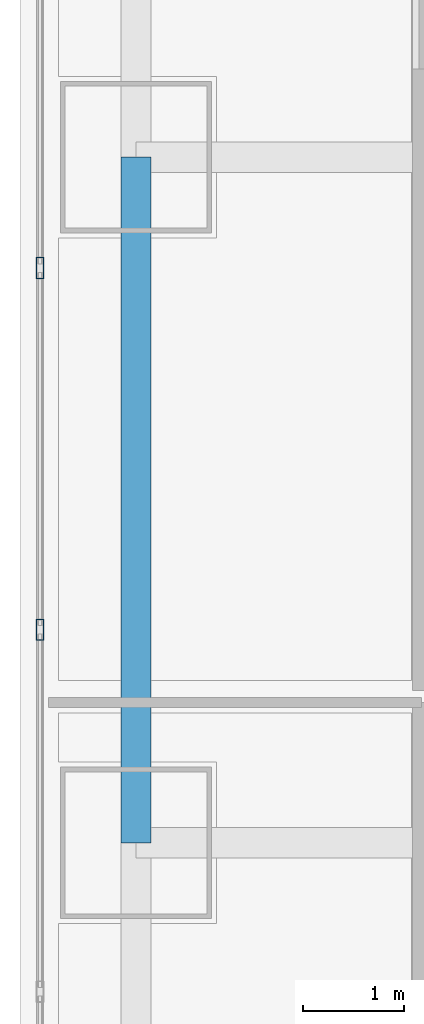
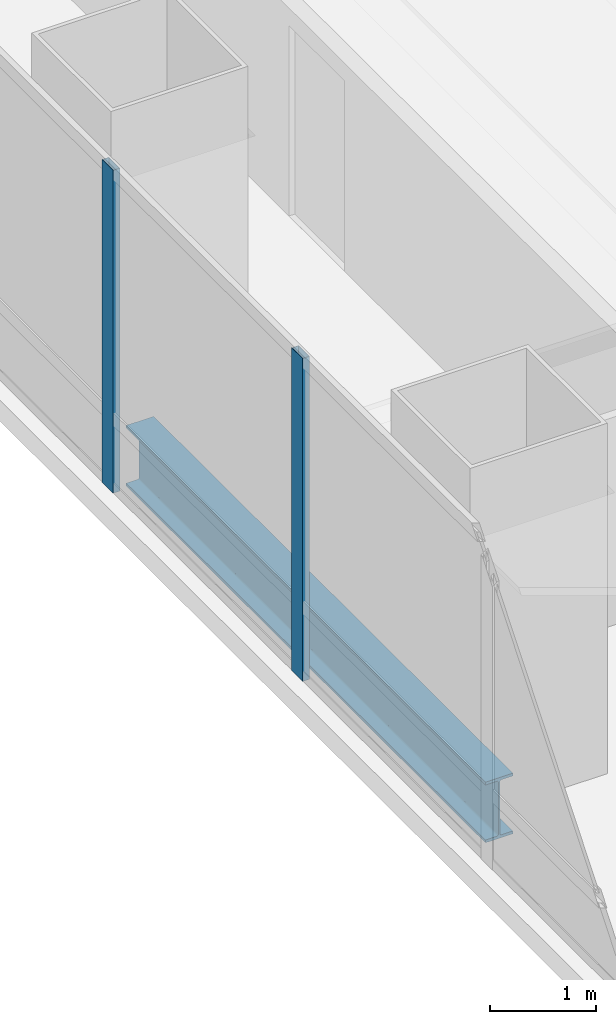
# One storey, part 9 of 33: 2 members, 1 beam, 1 element without a shape of its own.
"""IFC4 building model written with IfcOpenShell, lengths in metres."""

from ifc_helpers import new_model, si_unit, direction, frame, origin, origin_2d, place, context, subcontext, project, spatial, hollow_rectangle, i_section, extrude, material, material_profile, profile_set, type_object, element, aggregate, save


model = new_model("IFC4")

# Units and contexts
model_context = context("Model", 3, precision=1e-05, world=origin(), true_north=direction((0.0, 1.0)))
body_context = subcontext(model_context, "Body", "Model", "MODEL_VIEW")
ifc_project = project(units=[si_unit("LENGTHUNIT", "METRE"), si_unit("AREAUNIT", "SQUARE_METRE"), si_unit("VOLUMEUNIT", "CUBIC_METRE"), si_unit("PLANEANGLEUNIT", "RADIAN"), si_unit("MASSUNIT", "GRAM", prefix="KILO")], contexts=[model_context])

# Site, building, storey
site_placement = place(None, origin())
site = spatial("IfcSite", under=ifc_project, at=site_placement, CompositionType="ELEMENT")
building_placement = place(site_placement, origin())
building = spatial("IfcBuilding", under=site, at=building_placement, Name="Punatoya Terracotta Tower", CompositionType="ELEMENT")
storey_placement = place(building_placement, frame((0.0, 0.0, 121.35009765625)))
storey = spatial("IfcBuildingStorey", under=building, at=storey_placement, Name="L28", CompositionType="ELEMENT", Elevation=121.35009765625)

# Beam
ifc_material_1 = material(Name="Steel S355", Category="steel")
ifc_material_profile_1 = material_profile(ifc_material_1, i_section(OverallWidth=0.300048828125, OverallDepth=0.699951171875, WebThickness=0.01708984375, FlangeThickness=0.031982421875, FilletRadius=0.01806640625, at=origin_2d()))
ifc_profile_set_1 = profile_set([ifc_material_profile_1], Name="Steel S355")
beam_type = type_object("IfcBeamType", Name="BM-PRI-700", PredefinedType="BEAM", material=ifc_profile_set_1)
beam_placement = place(storey_placement, frame((-19.10009765625, -3.39990234375, -0.590087890625), z_axis=(0.0, 1.0, 0.0), x_axis=(-1.0, 0.0, 0.0)))
element("IfcBeam", 1, at=beam_placement, inside=storey, type_object=beam_type, Name="BM-L28-RG-W2", PredefinedType="BEAM", context=body_context, shape_type="SweptSolid", body=[
    extrude(i_section(OverallWidth=0.300048828125, OverallDepth=0.699951171875, WebThickness=0.01708984375, FlangeThickness=0.031982421875, FilletRadius=0.01806640625, at=origin_2d()), origin(), (0.0, 0.0, 1.0), 6.7998046875),
])

# Curtain wall, members
ifc_material_2 = material(Name="Aluminium 6063-T6 + Double Low-E Glass", Category="aluminium")
curtain_wall_type = type_object("IfcCurtainWallType", Name="CW-M1", PredefinedType="NOTDEFINED", material=ifc_material_2)
curtain_wall_placement = place(storey_placement, origin())
curtain_wall = element("IfcCurtainWall", 2, at=curtain_wall_placement, inside=storey, type_object=curtain_wall_type, Name="L28 Curtain Wall CW-L28-W12-1", PredefinedType="NOTDEFINED")
ifc_material_3 = material(Name="Aluminium 6063-T6", Category="aluminium")
ifc_material_profile_2 = material_profile(ifc_material_3, hollow_rectangle(XDim=0.074951171875, YDim=0.2099609375, WallThickness=0.00439453125, at=origin_2d()))
ifc_profile_set_2 = profile_set([ifc_material_profile_2], Name="Aluminium 6063-T6")
member_type = type_object("IfcMemberType", Name="CW-MUL-M1", PredefinedType="MULLION", material=ifc_profile_set_2)
member_1_placement = place(storey_placement, frame((-20.050048828125, 2.2998046875, 0.0), z_axis=(0.0, 0.0, 1.0), x_axis=(1.0, 0.0, 0.0)))
member_1 = element("IfcMember", 3, at=member_1_placement, type_object=member_type, Name="CW-L28-W12-1 Mullion 05", PredefinedType="MULLION", context=body_context, shape_type="SweptSolid", body=[
    extrude(hollow_rectangle(XDim=0.074951171875, YDim=0.2099609375, WallThickness=0.00439453125, at=origin_2d()), origin(), (0.0, 0.0, 1.0), 3.72998046875),
])
member_2_placement = place(storey_placement, frame((-20.050048828125, -1.28759765625, 0.0), z_axis=(0.0, 0.0, 1.0), x_axis=(1.0, 0.0, 0.0)))
member_2 = element("IfcMember", 4, at=member_2_placement, type_object=member_type, Name="CW-L28-W12-1 Mullion 06", PredefinedType="MULLION", context=body_context, shape_type="SweptSolid", body=[
    extrude(hollow_rectangle(XDim=0.074951171875, YDim=0.2099609375, WallThickness=0.00439453125, at=origin_2d()), origin(), (0.0, 0.0, 1.0), 3.72998046875),
])
aggregate(curtain_wall, [member_1, member_2])

save(model, "model.ifc")
